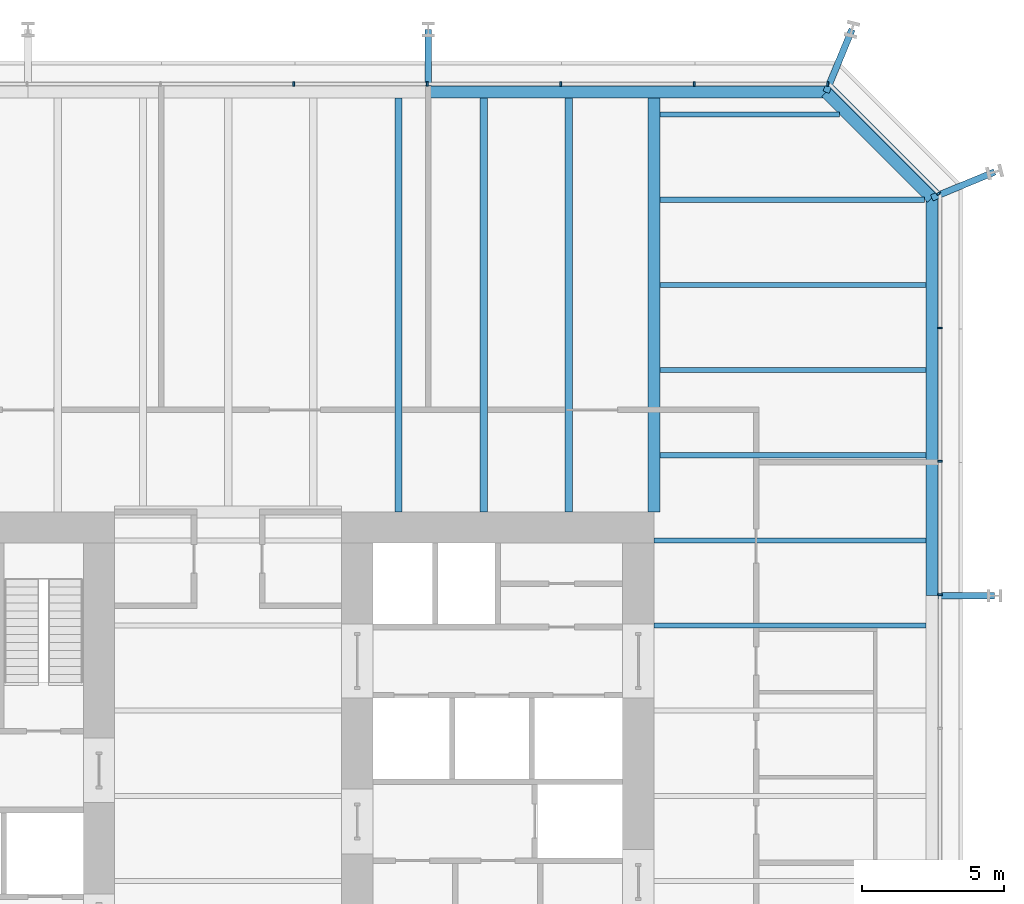
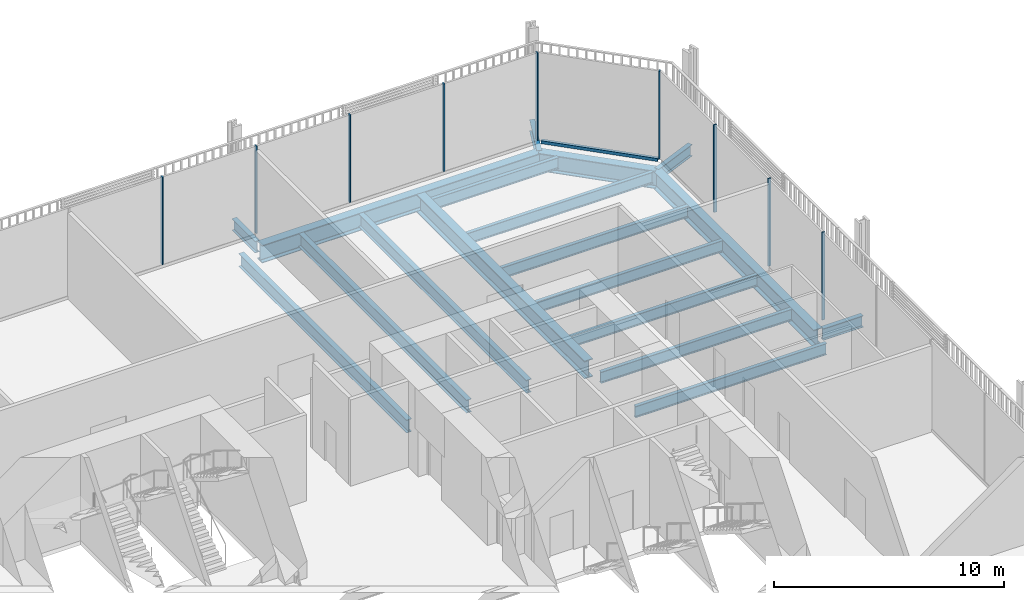
# One storey, part 16 of 22: 18 beams, 10 members, 3 elements without a shape of their own.
"""IFC4 building model written with IfcOpenShell, lengths in metres."""

from ifc_helpers import new_model, si_unit, direction, frame, origin, origin_2d, place, context, subcontext, project, spatial, rectangle, i_section, extrude, material, layer, layer_set, material_profile, profile_set, type_object, element, aggregate, save


model = new_model("IFC4")

# Units and contexts
model_context = context("Model", 3, precision=1e-05, world=origin(), true_north=direction((0.0, 1.0)))
body_context = subcontext(model_context, "Body", "Model", "MODEL_VIEW")
ifc_project = project(units=[si_unit("LENGTHUNIT", "METRE"), si_unit("AREAUNIT", "SQUARE_METRE"), si_unit("VOLUMEUNIT", "CUBIC_METRE"), si_unit("PLANEANGLEUNIT", "RADIAN"), si_unit("MASSUNIT", "GRAM", prefix="KILO")], contexts=[model_context])

# Site, building, storey
site_placement = place(None, origin())
site = spatial("IfcSite", under=ifc_project, at=site_placement, CompositionType="ELEMENT")
building_placement = place(site_placement, origin())
building = spatial("IfcBuilding", under=site, at=building_placement, Name="Millrace Tower", CompositionType="ELEMENT")
storey_placement = place(building_placement, frame((0.0, 0.0, 40.10009765625)))
storey = spatial("IfcBuildingStorey", under=building, at=storey_placement, Name="L09", CompositionType="ELEMENT", Elevation=40.10009765625)

# Curtain wall, members
ifc_material_1 = material(Name="Aluminium and glass", Category="aluminium")
ifc_layer = layer(ifc_material_1, 0.14990234375)
ifc_layer_set = layer_set([ifc_layer], Name="Aluminium and glass")
curtain_wall_type = type_object("IfcCurtainWallType", Name="CW-2 data hall insulated curtain wall", PredefinedType="NOTDEFINED", material=ifc_layer_set)
placement = place(storey_placement, origin())
curtain_wall_1 = element("IfcCurtainWall", 1, at=placement, inside=storey, type_object=curtain_wall_type, Name="Curtain wall A-F04 L09", PredefinedType="NOTDEFINED")
ifc_material_2 = material(Name="Aluminium", Category="aluminium")
ifc_material_profile_1 = material_profile(ifc_material_2, rectangle(XDim=0.06494140625, YDim=0.14990234375, at=origin_2d()))
ifc_profile_set_1 = profile_set([ifc_material_profile_1], Name="Aluminium")
member_type_1 = type_object("IfcMemberType", Name="CW-2 data hall insulated curtain wall mullion", PredefinedType="MULLION", material=ifc_profile_set_1)
member_1_placement = place(storey_placement, frame((25.074951171875, 7.08251953125, 0.159912109375), z_axis=(0.0, 0.0, 1.0), x_axis=(0.0, 1.0, 0.0)))
member_1 = element("IfcMember", 2, at=member_1_placement, type_object=member_type_1, Name="CW2 mullion A-F04.7", PredefinedType="MULLION", context=body_context, shape_type="SweptSolid", body=[
    extrude(rectangle(XDim=0.06494140625, YDim=0.14990234375, at=origin_2d()), origin(), (0.0, 0.0, 1.0), 4.639892578125),
])
member_2_placement = place(storey_placement, frame((25.074951171875, 11.782470703125, 0.159912109375), z_axis=(0.0, 0.0, 1.0), x_axis=(0.0, 1.0, 0.0)))
member_2 = element("IfcMember", 3, at=member_2_placement, type_object=member_type_1, Name="CW2 mullion A-F04.8", PredefinedType="MULLION", context=body_context, shape_type="SweptSolid", body=[
    extrude(rectangle(XDim=0.06494140625, YDim=0.14990234375, at=origin_2d()), origin(), (0.0, 0.0, 1.0), 4.639892578125),
])
member_3_placement = place(storey_placement, frame((25.074951171875, 16.482421875, 0.159912109375), z_axis=(0.0, 0.0, 1.0), x_axis=(0.0, 1.0, 0.0)))
member_3 = element("IfcMember", 4, at=member_3_placement, type_object=member_type_1, Name="CW2 mullion A-F04.9", PredefinedType="MULLION", context=body_context, shape_type="SweptSolid", body=[
    extrude(rectangle(XDim=0.06494140625, YDim=0.14990234375, at=origin_2d()), origin(), (0.0, 0.0, 1.0), 4.639892578125),
])
aggregate(curtain_wall_1, [member_1, member_2, member_3])

# Curtain wall, member
curtain_wall_2 = element("IfcCurtainWall", 5, at=placement, inside=storey, type_object=curtain_wall_type, Name="Curtain wall A-F05 L09", PredefinedType="NOTDEFINED")
member_4_placement = place(storey_placement, frame((25.030029296875, 21.22607421875, 0.159912109375), z_axis=(0.0, 0.0, 1.0), x_axis=(-0.707106781187, 0.707106781187, 0.0)))
member_4 = element("IfcMember", 6, at=member_4_placement, type_object=member_type_1, Name="CW2 mullion A-F05.1", PredefinedType="MULLION", context=body_context, shape_type="SweptSolid", body=[
    extrude(rectangle(XDim=0.06494140625, YDim=0.14990234375, at=origin_2d()), origin(), (0.0, 0.0, 1.0), 4.639892578125),
])

# Curtain wall, members
curtain_wall_3 = element("IfcCurtainWall", 7, at=placement, inside=storey, type_object=curtain_wall_type, Name="Curtain wall A-F06 L09", PredefinedType="NOTDEFINED")
member_5_placement = place(storey_placement, frame((21.117431640625, 25.074951171875, 0.159912109375), z_axis=(0.0, 0.0, 1.0), x_axis=(-1.0, 0.0, 0.0)))
member_5 = element("IfcMember", 8, at=member_5_placement, type_object=member_type_1, Name="CW2 mullion A-F06.1", PredefinedType="MULLION", context=body_context, shape_type="SweptSolid", body=[
    extrude(rectangle(XDim=0.06494140625, YDim=0.14990234375, at=origin_2d()), origin(), (0.0, 0.0, 1.0), 4.639892578125),
])
member_6_placement = place(storey_placement, frame((16.41748046875, 25.074951171875, 0.159912109375), z_axis=(0.0, 0.0, 1.0), x_axis=(-1.0, 0.0, 0.0)))
member_6 = element("IfcMember", 9, at=member_6_placement, type_object=member_type_1, Name="CW2 mullion A-F06.2", PredefinedType="MULLION", context=body_context, shape_type="SweptSolid", body=[
    extrude(rectangle(XDim=0.06494140625, YDim=0.14990234375, at=origin_2d()), origin(), (0.0, 0.0, 1.0), 4.639892578125),
])
member_7_placement = place(storey_placement, frame((11.717529296875, 25.074951171875, 0.159912109375), z_axis=(0.0, 0.0, 1.0), x_axis=(-1.0, 0.0, 0.0)))
member_7 = element("IfcMember", 10, at=member_7_placement, type_object=member_type_1, Name="CW2 mullion A-F06.3", PredefinedType="MULLION", context=body_context, shape_type="SweptSolid", body=[
    extrude(rectangle(XDim=0.06494140625, YDim=0.14990234375, at=origin_2d()), origin(), (0.0, 0.0, 1.0), 4.639892578125),
])
member_8_placement = place(storey_placement, frame((7.017578125, 25.074951171875, 0.159912109375), z_axis=(0.0, 0.0, 1.0), x_axis=(-1.0, 0.0, 0.0)))
member_8 = element("IfcMember", 11, at=member_8_placement, type_object=member_type_1, Name="CW2 mullion A-F06.4", PredefinedType="MULLION", context=body_context, shape_type="SweptSolid", body=[
    extrude(rectangle(XDim=0.06494140625, YDim=0.14990234375, at=origin_2d()), origin(), (0.0, 0.0, 1.0), 4.639892578125),
])
member_9_placement = place(storey_placement, frame((2.3173828125, 25.074951171875, 0.159912109375), z_axis=(0.0, 0.0, 1.0), x_axis=(-1.0, 0.0, 0.0)))
member_9 = element("IfcMember", 12, at=member_9_placement, type_object=member_type_1, Name="CW2 mullion A-F06.5", PredefinedType="MULLION", context=body_context, shape_type="SweptSolid", body=[
    extrude(rectangle(XDim=0.06494140625, YDim=0.14990234375, at=origin_2d()), origin(), (0.0, 0.0, 1.0), 4.639892578125),
])
aggregate(curtain_wall_3, [member_5, member_6, member_7, member_8, member_9])

# Member
ifc_material_3 = material(Name="Aluminium", Category="aluminium")
ifc_material_profile_2 = material_profile(ifc_material_3, rectangle(XDim=0.14990234375, YDim=0.159912109375, at=origin_2d()))
ifc_profile_set_2 = profile_set([ifc_material_profile_2], Name="Aluminium")
member_type_2 = type_object("IfcMemberType", Name="CW-2 data hall insulated curtain wall transom", PredefinedType="USERDEFINED", material=ifc_profile_set_2)
member_10_placement = place(storey_placement, frame((24.982421875, 21.273681640625, 0.079833984375), z_axis=(-0.707106781187, 0.707106781187, 0.0), x_axis=(-0.707106781187, -0.707106781187, 0.0)))
member_10 = element("IfcMember", 13, at=member_10_placement, type_object=member_type_2, Name="CW2 transom A-F05.1", ObjectType="TRANSOM", PredefinedType="USERDEFINED", context=body_context, shape_type="SweptSolid", body=[
    extrude(rectangle(XDim=0.14990234375, YDim=0.159912109375, at=origin_2d()), origin(), (0.0, 0.0, 1.0), 5.244873046875),
])

aggregate(curtain_wall_2, [member_4, member_10])

# Beams
ifc_material_4 = material(Name="Steel ASTM A992 Grade 50", Category="steel")
ifc_material_profile_3 = material_profile(ifc_material_4, i_section(OverallWidth=0.177978515625, OverallDepth=0.599365234375, WebThickness=0.010009765625, FlangeThickness=0.012939453125, FilletRadius=0.012939453125, at=origin_2d()))
ifc_profile_set_3 = profile_set([ifc_material_profile_3], Name="Steel ASTM A992 Grade 50")
beam_type_1 = type_object("IfcBeamType", Name="Floor beam W24x55", PredefinedType="JOIST", material=ifc_profile_set_3)
beam_1_placement = place(storey_placement, frame((15.212158203125, 24.0, -0.52490234375), z_axis=(1.0, 0.0, 0.0), x_axis=(0.0, 1.0, 0.0)))
element("IfcBeam", 14, at=beam_1_placement, inside=storey, type_object=beam_type_1, Name="BM-A-L09-S1-S041", PredefinedType="JOIST", context=body_context, shape_type="SweptSolid", body=[
    extrude(i_section(OverallWidth=0.177978515625, OverallDepth=0.599365234375, WebThickness=0.010009765625, FlangeThickness=0.012939453125, FilletRadius=0.012939453125, at=origin_2d()), origin(), (0.0, 0.0, 1.0), 6.317626953125),
])
ifc_material_5 = material(Name="Steel ASTM A992 Grade 50", Category="steel")
ifc_material_profile_4 = material_profile(ifc_material_5, i_section(OverallWidth=0.1787109375, OverallDepth=0.60205078125, WebThickness=0.010986328125, FlangeThickness=0.014892578125, FilletRadius=0.0126953125, at=origin_2d()))
ifc_profile_set_4 = profile_set([ifc_material_profile_4], Name="Steel ASTM A992 Grade 50")
beam_type_2 = type_object("IfcBeamType", Name="Floor beam W24x62", PredefinedType="JOIST", material=ifc_profile_set_4)
for number, where, z_axis, x_axis, name in (
    (15, (15.0, 6.0, -0.526123046875), (1.0, 0.0, 0.0), (0.0, 1.0, 0.0), "BM-A-L09-S1-S028"),
    (16, (15.0, 9.0, -0.526123046875), (1.0, 0.0, 0.0), (0.0, 1.0, 0.0), "BM-A-L09-S1-S031"),
):
    element("IfcBeam", number, at=place(storey_placement, frame(where, z_axis=z_axis, x_axis=x_axis)), inside=storey, type_object=beam_type_2, Name=name, PredefinedType="JOIST", context=body_context, shape_type="SweptSolid", body=[
        extrude(i_section(OverallWidth=0.1787109375, OverallDepth=0.60205078125, WebThickness=0.010986328125, FlangeThickness=0.014892578125, FilletRadius=0.0126953125, at=origin_2d()), origin(), (0.0, 0.0, 1.0), 9.578369140625),
    ])
for number, where, z_axis, x_axis, name in (
    (17, (15.212158203125, 12.0, -0.526123046875), (1.0, 0.0, 0.0), (0.0, 1.0, 0.0), "BM-A-L09-S1-S033"),
    (18, (15.212158203125, 15.0, -0.526123046875), (1.0, 0.0, 0.0), (0.0, 1.0, 0.0), "BM-A-L09-S1-S035"),
    (19, (15.212158203125, 18.0, -0.526123046875), (1.0, 0.0, 0.0), (0.0, 1.0, 0.0), "BM-A-L09-S1-S037"),
):
    element("IfcBeam", number, at=place(storey_placement, frame(where, z_axis=z_axis, x_axis=x_axis)), inside=storey, type_object=beam_type_2, Name=name, PredefinedType="JOIST", context=body_context, shape_type="SweptSolid", body=[
        extrude(i_section(OverallWidth=0.1787109375, OverallDepth=0.60205078125, WebThickness=0.010986328125, FlangeThickness=0.014892578125, FilletRadius=0.0126953125, at=origin_2d()), origin(), (0.0, 0.0, 1.0), 9.3662109375),
    ])
beam_2_placement = place(storey_placement, frame((15.212158203125, 21.0, -0.526123046875), z_axis=(1.0, 0.0, 0.0), x_axis=(0.0, 1.0, 0.0)))
element("IfcBeam", 20, at=beam_2_placement, inside=storey, type_object=beam_type_2, Name="BM-A-L09-S1-S039", PredefinedType="JOIST", context=body_context, shape_type="SweptSolid", body=[
    extrude(i_section(OverallWidth=0.1787109375, OverallDepth=0.60205078125, WebThickness=0.010986328125, FlangeThickness=0.014892578125, FilletRadius=0.0126953125, at=origin_2d()), origin(), (0.0, 0.0, 1.0), 9.317626953125),
])
ifc_material_6 = material(Name="Steel ASTM A992 Grade 50", Category="steel")
ifc_material_profile_5 = material_profile(ifc_material_6, i_section(OverallWidth=0.256591796875, OverallDepth=0.693359375, WebThickness=0.014404296875, FlangeThickness=0.023681640625, FilletRadius=0.01513671875, at=origin_2d()))
ifc_profile_set_5 = profile_set([ifc_material_profile_5], Name="Steel ASTM A992 Grade 50")
beam_type_3 = type_object("IfcBeamType", Name="Floor beam W27x114", PredefinedType="JOIST", material=ifc_profile_set_5)
for number, where, z_axis, x_axis, name in (
    (21, (6.0, 10.0, -0.57177734375), (0.0, 1.0, 0.0), (-1.0, 0.0, 0.0), "BM-A-L09-S1-S054"),
    (22, (9.0, 10.0, -0.57177734375), (0.0, 1.0, 0.0), (-1.0, 0.0, 0.0), "BM-A-L09-S1-S056"),
    (23, (12.0, 10.0, -0.57177734375), (0.0, 1.0, 0.0), (-1.0, 0.0, 0.0), "BM-A-L09-S1-S058"),
):
    element("IfcBeam", number, at=place(storey_placement, frame(where, z_axis=z_axis, x_axis=x_axis)), inside=storey, type_object=beam_type_3, Name=name, PredefinedType="JOIST", context=body_context, shape_type="SweptSolid", body=[
        extrude(i_section(OverallWidth=0.256591796875, OverallDepth=0.693359375, WebThickness=0.014404296875, FlangeThickness=0.023681640625, FilletRadius=0.01513671875, at=origin_2d()), origin(), (0.0, 0.0, 1.0), 14.578369140625),
    ])
ifc_material_7 = material(Name="Steel ASTM A992 Grade 50", Category="steel")
ifc_material_profile_6 = material_profile(ifc_material_7, i_section(OverallWidth=0.424072265625, OverallDepth=0.947509765625, WebThickness=0.02392578125, FlangeThickness=0.042724609375, FilletRadius=0.024169921875, at=origin_2d()))
ifc_profile_set_6 = profile_set([ifc_material_profile_6], Name="Steel ASTM A992 Grade 50")
beam_type_4 = type_object("IfcBeamType", Name="Girder medium span W36x302", PredefinedType="BEAM", material=ifc_profile_set_6)
beam_3_placement = place(storey_placement, frame((15.0, 10.0, -0.69873046875), z_axis=(0.0, 1.0, 0.0), x_axis=(-1.0, 0.0, 0.0)))
element("IfcBeam", 24, at=beam_3_placement, inside=storey, type_object=beam_type_4, Name="BM-A-L09-S1-G062", PredefinedType="BEAM", context=body_context, shape_type="SweptSolid", body=[
    extrude(i_section(OverallWidth=0.424072265625, OverallDepth=0.947509765625, WebThickness=0.02392578125, FlangeThickness=0.042724609375, FilletRadius=0.024169921875, at=origin_2d()), origin(), (0.0, 0.0, 1.0), 14.578369140625),
])
ifc_material_8 = material(Name="Steel ASTM A992 Grade 50", Category="steel")
ifc_material_profile_7 = material_profile(ifc_material_8, i_section(OverallWidth=0.23046875, OverallDepth=0.6171875, WebThickness=0.01318359375, FlangeThickness=0.022216796875, FilletRadius=0.012939453125, at=origin_2d()))
ifc_profile_set_7 = profile_set([ifc_material_profile_7], Name="Steel ASTM A992 Grade 50")
beam_type_5 = type_object("IfcBeamType", Name="Link beam W24x94", PredefinedType="BEAM", material=ifc_profile_set_7)
beam_4_placement = place(storey_placement, frame((7.050048828125, 25.0, -0.53369140625), z_axis=(0.0, 1.0, 0.0), x_axis=(-1.0, 0.0, 0.0)))
element("IfcBeam", 25, at=beam_4_placement, inside=storey, type_object=beam_type_5, Name="LNK-A-L09-S1-07", PredefinedType="BEAM", context=body_context, shape_type="SweptSolid", body=[
    extrude(i_section(OverallWidth=0.23046875, OverallDepth=0.6171875, WebThickness=0.01318359375, FlangeThickness=0.022216796875, FilletRadius=0.012939453125, at=origin_2d()), origin(), (0.0, 0.0, 1.0), 2.0),
])
for number, where, z_axis, x_axis, name in (
    (26, (21.062744140625, 24.7890625, -0.53369140625), (0.382673155247, 0.923883789366, 0.0), (-0.923883789366, 0.382673155247, 0.0), "LNK-A-L09-S1-08"),
    (27, (24.7890625, 21.062744140625, -0.53369140625), (0.923883789366, 0.382673155247, 0.0), (-0.382673155247, 0.923883789366, 0.0), "LNK-A-L09-S1-09"),
):
    element("IfcBeam", number, at=place(storey_placement, frame(where, z_axis=z_axis, x_axis=x_axis)), inside=storey, type_object=beam_type_5, Name=name, PredefinedType="BEAM", context=body_context, shape_type="SweptSolid", body=[
        extrude(i_section(OverallWidth=0.23046875, OverallDepth=0.6171875, WebThickness=0.01318359375, FlangeThickness=0.022216796875, FilletRadius=0.012939453125, at=origin_2d()), origin(), (0.0, 0.0, 1.0), 2.39306640625),
    ])
beam_5_placement = place(storey_placement, frame((25.0, 7.050048828125, -0.53369140625), z_axis=(1.0, 0.0, 0.0), x_axis=(0.0, 1.0, 0.0)))
element("IfcBeam", 28, at=beam_5_placement, inside=storey, type_object=beam_type_5, Name="LNK-A-L09-S1-10", PredefinedType="BEAM", context=body_context, shape_type="SweptSolid", body=[
    extrude(i_section(OverallWidth=0.23046875, OverallDepth=0.6171875, WebThickness=0.01318359375, FlangeThickness=0.022216796875, FilletRadius=0.012939453125, at=origin_2d()), origin(), (0.0, 0.0, 1.0), 2.0),
])
ifc_material_9 = material(Name="Steel ASTM A992 Grade 50", Category="steel")
ifc_material_profile_8 = material_profile(ifc_material_9, i_section(OverallWidth=0.421630859375, OverallDepth=0.937255859375, WebThickness=0.021240234375, FlangeThickness=0.03662109375, FilletRadius=0.024169921875, at=origin_2d()))
ifc_profile_set_8 = profile_set([ifc_material_profile_8], Name="Steel ASTM A992 Grade 50")
beam_type_6 = type_object("IfcBeamType", Name="Ring beam medium span W36x262", PredefinedType="SPANDREL", material=ifc_profile_set_8)
for number, where, z_axis, x_axis, name in (
    (29, (7.050048828125, 24.7890625, -0.69384765625), (1.0, 0.0, 0.0), (0.0, 1.0, 0.0), "RNG-A-L09-S1-07"),
    (30, (24.7890625, 21.062744140625, -0.69384765625), (0.0, -1.0, 0.0), (1.0, 0.0, 0.0), "RNG-A-L09-S1-09"),
):
    element("IfcBeam", number, at=place(storey_placement, frame(where, z_axis=z_axis, x_axis=x_axis)), inside=storey, type_object=beam_type_6, Name=name, PredefinedType="SPANDREL", context=body_context, shape_type="SweptSolid", body=[
        extrude(i_section(OverallWidth=0.421630859375, OverallDepth=0.937255859375, WebThickness=0.021240234375, FlangeThickness=0.03662109375, FilletRadius=0.024169921875, at=origin_2d()), origin(), (0.0, 0.0, 1.0), 14.0126953125),
    ])
ifc_material_10 = material(Name="Steel ASTM A992 Grade 50", Category="steel")
ifc_material_profile_9 = material_profile(ifc_material_10, i_section(OverallWidth=0.421630859375, OverallDepth=0.937255859375, WebThickness=0.021240234375, FlangeThickness=0.03662109375, FilletRadius=0.024169921875, at=origin_2d()))
ifc_profile_set_9 = profile_set([ifc_material_profile_9], Name="Steel ASTM A992 Grade 50")
beam_type_7 = type_object("IfcBeamType", Name="Ring beam short span W36x262", PredefinedType="SPANDREL", material=ifc_profile_set_9)
beam_6_placement = place(storey_placement, frame((21.062744140625, 24.7890625, -0.69384765625), z_axis=(0.707106781187, -0.707106781187, 0.0), x_axis=(0.707106781187, 0.707106781187, 0.0)))
element("IfcBeam", 31, at=beam_6_placement, inside=storey, type_object=beam_type_7, Name="RNG-A-L09-S1-08", PredefinedType="SPANDREL", context=body_context, shape_type="SweptSolid", body=[
    extrude(i_section(OverallWidth=0.421630859375, OverallDepth=0.937255859375, WebThickness=0.021240234375, FlangeThickness=0.03662109375, FilletRadius=0.024169921875, at=origin_2d()), origin(), (0.0, 0.0, 1.0), 5.269775390625),
])

save(model, "model.ifc")
